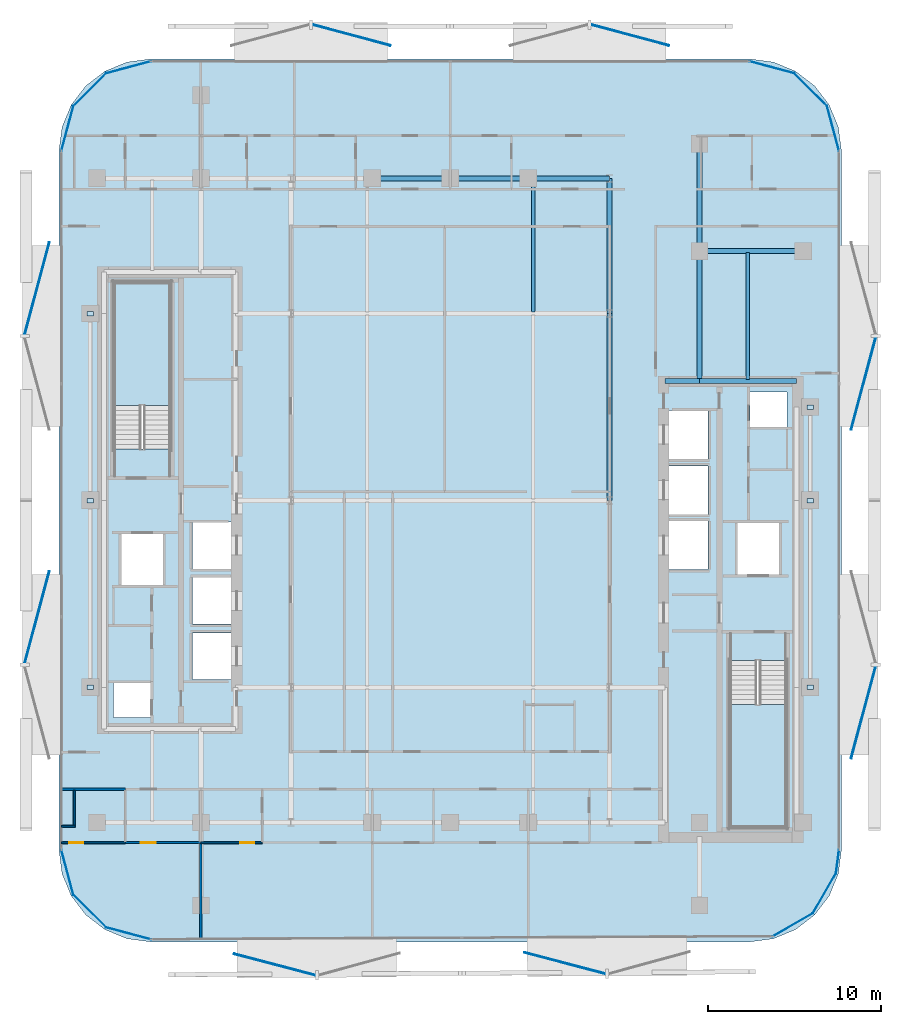
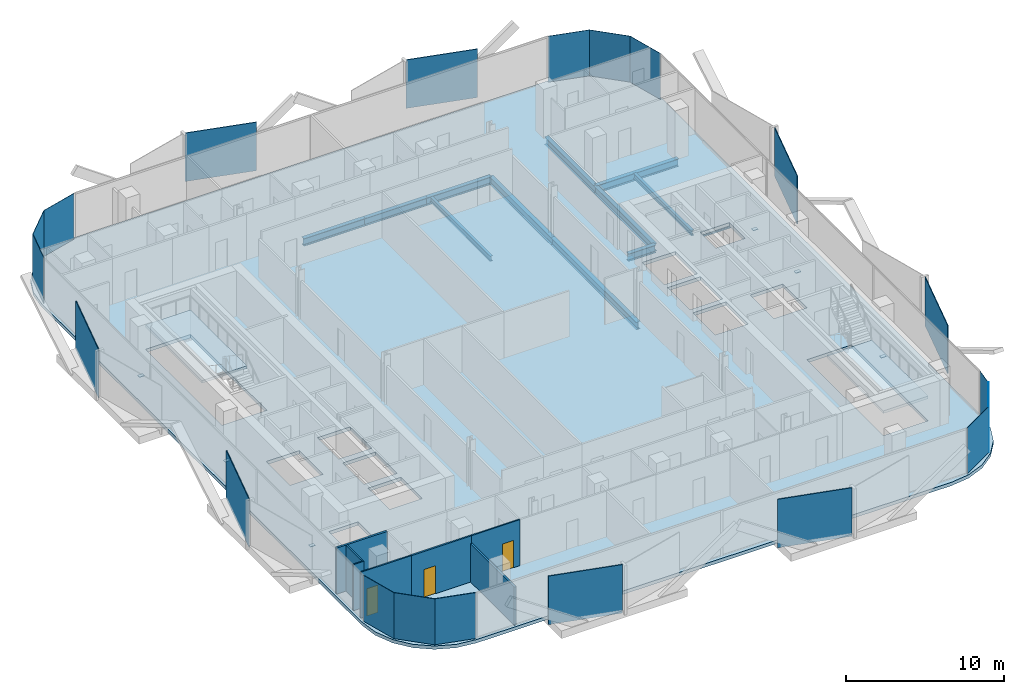
# One storey, part 2 of 17: 26 plates, 12 beams, 7 walls, 3 doors, 3 slabs, 3 openings, 2 elements without a shape of their own.
"""IFC4 building model written with IfcOpenShell, lengths in metres."""

from ifc_helpers import new_model, si_unit, direction, frame, frame_2d, origin, origin_2d, place, context, subcontext, project, spatial, polyline, rectangle, i_section, outline, extrude, material, layer, layer_set, material_profile, profile_set, type_object, element, fill, aggregate, save


model = new_model("IFC4")

# Units and contexts
model_context = context("Model", 3, precision=1e-05, world=origin(), true_north=direction((0.0, 1.0)))
body_context = subcontext(model_context, "Body", "Model", "MODEL_VIEW")
ifc_project = project(units=[si_unit("LENGTHUNIT", "METRE"), si_unit("AREAUNIT", "SQUARE_METRE"), si_unit("VOLUMEUNIT", "CUBIC_METRE"), si_unit("PLANEANGLEUNIT", "RADIAN"), si_unit("MASSUNIT", "GRAM", prefix="KILO")], contexts=[model_context])

# Site, building, storey
site_placement = place(None, origin())
site = spatial("IfcSite", under=ifc_project, at=site_placement, CompositionType="ELEMENT")
building_placement = place(site_placement, origin())
building = spatial("IfcBuilding", under=site, at=building_placement, Name="Khairoan Windgate Tower", CompositionType="ELEMENT")
storey_placement = place(building_placement, frame((0.0, 0.0, 180.199951171875)))
storey = spatial("IfcBuildingStorey", under=building, at=storey_placement, Name="L41", CompositionType="ELEMENT", Elevation=180.199951171875)

# Beams
ifc_material_1 = material(Name="Steel S355", Category="steel")
ifc_material_profile_1 = material_profile(ifc_material_1, i_section(OverallWidth=0.300048828125, OverallDepth=0.587890625, WebThickness=0.011962890625, FlangeThickness=0.02001953125, FilletRadius=0.02392578125, at=origin_2d()))
ifc_profile_set_1 = profile_set([ifc_material_profile_1], Name="Steel S355")
beam_type_1 = type_object("IfcBeamType", Name="Beam B-G4 H588x300x12x20", PredefinedType="BEAM", material=ifc_profile_set_1)
beam_1_placement = place(storey_placement, frame((12.39990234375, 6.89990234375, -0.553955078125), z_axis=(1.0, 0.0, 0.0), x_axis=(0.0, 1.0, 0.0)))
element("IfcBeam", 1, at=beam_1_placement, inside=storey, type_object=beam_type_1, Name="L41 E-W Primary Girder 15", PredefinedType="BEAM", context=body_context, shape_type="SweptSolid", body=[
    extrude(i_section(OverallWidth=0.300048828125, OverallDepth=0.587890625, WebThickness=0.011962890625, FlangeThickness=0.02001953125, FilletRadius=0.02392578125, at=origin_2d()), origin(), (0.0, 0.0, 1.0), 2.0),
])
beam_2_placement = place(storey_placement, frame((14.39990234375, 6.89990234375, -0.553955078125), z_axis=(1.0, 0.0, 0.0), x_axis=(0.0, 1.0, 0.0)))
element("IfcBeam", 2, at=beam_2_placement, inside=storey, type_object=beam_type_1, Name="L41 E-W Primary Girder 16", PredefinedType="BEAM", context=body_context, shape_type="SweptSolid", body=[
    extrude(i_section(OverallWidth=0.300048828125, OverallDepth=0.587890625, WebThickness=0.011962890625, FlangeThickness=0.02001953125, FilletRadius=0.02392578125, at=origin_2d()), origin(), (0.0, 0.0, 1.0), 5.60009765625),
])
beam_3_placement = place(storey_placement, frame((14.39990234375, 14.39990234375, -0.553955078125), z_axis=(1.0, 0.0, 0.0), x_axis=(0.0, 1.0, 0.0)))
element("IfcBeam", 3, at=beam_3_placement, inside=storey, type_object=beam_type_1, Name="L41 E-W Primary Girder 21", PredefinedType="BEAM", context=body_context, shape_type="SweptSolid", body=[
    extrude(i_section(OverallWidth=0.300048828125, OverallDepth=0.587890625, WebThickness=0.011962890625, FlangeThickness=0.02001953125, FilletRadius=0.02392578125, at=origin_2d()), origin(), (0.0, 0.0, 1.0), 6.0),
])
for number, where, z_axis, x_axis, name in (
    (4, (-4.5, 18.60009765625, -0.553955078125), (1.0, 0.0, 0.0), (0.0, 1.0, 0.0), "L41 E-W Primary Girder 25"),
    (5, (0.0, 18.60009765625, -0.553955078125), (1.0, 0.0, 0.0), (0.0, 1.0, 0.0), "L41 E-W Primary Girder 26"),
):
    element("IfcBeam", number, at=place(storey_placement, frame(where, z_axis=z_axis, x_axis=x_axis)), inside=storey, type_object=beam_type_1, Name=name, PredefinedType="BEAM", context=body_context, shape_type="SweptSolid", body=[
        extrude(i_section(OverallWidth=0.300048828125, OverallDepth=0.587890625, WebThickness=0.011962890625, FlangeThickness=0.02001953125, FilletRadius=0.02392578125, at=origin_2d()), origin(), (0.0, 0.0, 1.0), 4.5),
    ])
beam_4_placement = place(storey_placement, frame((4.5, 18.60009765625, -0.553955078125), z_axis=(1.0, 0.0, 0.0), x_axis=(0.0, 1.0, 0.0)))
element("IfcBeam", 6, at=beam_4_placement, inside=storey, type_object=beam_type_1, Name="L41 E-W Primary Girder 27", PredefinedType="BEAM", context=body_context, shape_type="SweptSolid", body=[
    extrude(i_section(OverallWidth=0.300048828125, OverallDepth=0.587890625, WebThickness=0.011962890625, FlangeThickness=0.02001953125, FilletRadius=0.02392578125, at=origin_2d()), origin(), (0.0, 0.0, 1.0), 4.699951171875),
])
beam_5_placement = place(storey_placement, frame((9.199951171875, 0.0, -0.553955078125), z_axis=(0.0, 1.0, 0.0), x_axis=(-1.0, 0.0, 0.0)))
element("IfcBeam", 7, at=beam_5_placement, inside=storey, type_object=beam_type_1, Name="L41 N-S Primary Beam 47", PredefinedType="BEAM", context=body_context, shape_type="SweptSolid", body=[
    extrude(i_section(OverallWidth=0.300048828125, OverallDepth=0.587890625, WebThickness=0.011962890625, FlangeThickness=0.02001953125, FilletRadius=0.02392578125, at=origin_2d()), origin(), (0.0, 0.0, 1.0), 10.800048828125),
])
beam_6_placement = place(storey_placement, frame((9.199951171875, 10.800048828125, -0.553955078125), z_axis=(0.0, 1.0, 0.0), x_axis=(-1.0, 0.0, 0.0)))
element("IfcBeam", 8, at=beam_6_placement, inside=storey, type_object=beam_type_1, Name="L41 N-S Primary Beam 48", PredefinedType="BEAM", context=body_context, shape_type="SweptSolid", body=[
    extrude(i_section(OverallWidth=0.300048828125, OverallDepth=0.587890625, WebThickness=0.011962890625, FlangeThickness=0.02001953125, FilletRadius=0.02392578125, at=origin_2d()), origin(), (0.0, 0.0, 1.0), 7.800048828125),
])
beam_7_placement = place(storey_placement, frame((14.39990234375, 6.89990234375, -0.553955078125), z_axis=(0.0, 1.0, 0.0), x_axis=(-1.0, 0.0, 0.0)))
element("IfcBeam", 9, at=beam_7_placement, inside=storey, type_object=beam_type_1, Name="L41 N-S Primary Beam 51", PredefinedType="BEAM", context=body_context, shape_type="SweptSolid", body=[
    extrude(i_section(OverallWidth=0.300048828125, OverallDepth=0.587890625, WebThickness=0.011962890625, FlangeThickness=0.02001953125, FilletRadius=0.02392578125, at=origin_2d()), origin(), (0.0, 0.0, 1.0), 7.5),
])
beam_8_placement = place(storey_placement, frame((14.39990234375, 14.39990234375, -0.553955078125), z_axis=(0.0, 1.0, 0.0), x_axis=(-1.0, 0.0, 0.0)))
element("IfcBeam", 10, at=beam_8_placement, inside=storey, type_object=beam_type_1, Name="L41 N-S Primary Beam 52", PredefinedType="BEAM", context=body_context, shape_type="SweptSolid", body=[
    extrude(i_section(OverallWidth=0.300048828125, OverallDepth=0.587890625, WebThickness=0.011962890625, FlangeThickness=0.02001953125, FilletRadius=0.02392578125, at=origin_2d()), origin(), (0.0, 0.0, 1.0), 6.2001953125),
])
ifc_material_2 = material(Name="Steel S355", Category="steel")
ifc_material_profile_2 = material_profile(ifc_material_2, i_section(OverallWidth=0.199951171875, OverallDepth=0.39990234375, WebThickness=0.008056640625, FlangeThickness=0.012939453125, FilletRadius=0.01611328125, at=origin_2d()))
ifc_profile_set_2 = profile_set([ifc_material_profile_2], Name="Steel S355")
beam_type_2 = type_object("IfcBeamType", Name="Beam J-S4 H400x200x8x13", PredefinedType="JOIST", material=ifc_profile_set_2)
beam_9_placement = place(storey_placement, frame((4.800048828125, 10.889892578125, -0.4599609375), z_axis=(0.0, 1.0, 0.0), x_axis=(-1.0, 0.0, 0.0)))
element("IfcBeam", 11, at=beam_9_placement, inside=storey, type_object=beam_type_2, Name="L41 Secondary Floor Joist 10", PredefinedType="JOIST", context=body_context, shape_type="SweptSolid", body=[
    extrude(i_section(OverallWidth=0.199951171875, OverallDepth=0.39990234375, WebThickness=0.008056640625, FlangeThickness=0.012939453125, FilletRadius=0.01611328125, at=origin_2d()), origin(), (0.0, 0.0, 1.0), 7.6201171875),
])
beam_10_placement = place(storey_placement, frame((17.199951171875, 6.989990234375, -0.4599609375), z_axis=(0.0, 1.0, 0.0), x_axis=(-1.0, 0.0, 0.0)))
element("IfcBeam", 12, at=beam_10_placement, inside=storey, type_object=beam_type_2, Name="L41 Secondary Floor Joist 11", PredefinedType="JOIST", context=body_context, shape_type="SweptSolid", body=[
    extrude(i_section(OverallWidth=0.199951171875, OverallDepth=0.39990234375, WebThickness=0.008056640625, FlangeThickness=0.012939453125, FilletRadius=0.01611328125, at=origin_2d()), origin(), (0.0, 0.0, 1.0), 7.320068359375),
])

# Plates
ifc_material_3 = material(Name="Low-E Solar Control Laminated Glass", Category="glass")
ifc_layer_1 = layer(ifc_material_3, 0.030029296875, Name="Low-E Solar Control Laminated Glass")
ifc_layer_set_1 = layer_set([ifc_layer_1], Name="Low-E Solar Control Laminated Glass")
plate_type_1 = type_object("IfcPlateType", Name="Aerodynamic Wind-Corner Curved Glazing Plate", PredefinedType="USERDEFINED", material=ifc_layer_set_1)
plate_1_placement = place(storey_placement, frame((-18.585205078125, -25.013916015625, 0.0), z_axis=(0.0, 0.0, 1.0), x_axis=(-0.966061211211, 0.258313252067, 0.0)))
element("IfcPlate", 13, at=plate_1_placement, inside=storey, type_object=plate_type_1, Name="L41 Aerodynamic Wind-Corner Curved Glazing Panel 2", ObjectType="GLAZING PANEL", PredefinedType="USERDEFINED", context=body_context, shape_type="SweptSolid", body=[
    extrude(rectangle(XDim=2.719482421875, YDim=0.030029296875, at=origin_2d()), origin(), (0.0, 0.0, 1.0), 3.5400390625),
])
plate_2_placement = place(storey_placement, frame((-20.823486328125, -23.723388671875, 0.0), z_axis=(0.0, 0.0, 1.0), x_axis=(-0.707106781187, 0.707106781187, 0.0)))
element("IfcPlate", 14, at=plate_2_placement, inside=storey, type_object=plate_type_1, Name="L41 Aerodynamic Wind-Corner Curved Glazing Panel 3", ObjectType="GLAZING PANEL", PredefinedType="USERDEFINED", context=body_context, shape_type="SweptSolid", body=[
    extrude(rectangle(XDim=2.710205078125, YDim=0.030029296875, at=origin_2d()), origin(), (0.0, 0.0, 1.0), 3.5400390625),
])
for number, where, z_axis, x_axis, name in (
    (15, (-22.11376953125, -21.485107421875, 0.0), (0.0, 0.0, 1.0), (-0.258313252067, 0.966061211211, 0.0), "L41 Aerodynamic Wind-Corner Curved Glazing Panel 4"),
    (16, (-22.11376953125, 21.485107421875, 0.0), (0.0, 0.0, 1.0), (0.258313252067, 0.966061211211, 0.0), "L41 Aerodynamic Wind-Corner Curved Glazing Panel 6"),
):
    element("IfcPlate", number, at=place(storey_placement, frame(where, z_axis=z_axis, x_axis=x_axis)), inside=storey, type_object=plate_type_1, Name=name, ObjectType="GLAZING PANEL", PredefinedType="USERDEFINED", context=body_context, shape_type="SweptSolid", body=[
        extrude(rectangle(XDim=2.719482421875, YDim=0.030029296875, at=origin_2d()), origin(), (0.0, 0.0, 1.0), 3.5400390625),
    ])
plate_3_placement = place(storey_placement, frame((-20.823486328125, 23.723388671875, 0.0), z_axis=(0.0, 0.0, 1.0), x_axis=(0.707106781187, 0.707106781187, 0.0)))
element("IfcPlate", 17, at=plate_3_placement, inside=storey, type_object=plate_type_1, Name="L41 Aerodynamic Wind-Corner Curved Glazing Panel 7", ObjectType="GLAZING PANEL", PredefinedType="USERDEFINED", context=body_context, shape_type="SweptSolid", body=[
    extrude(rectangle(XDim=2.710205078125, YDim=0.030029296875, at=origin_2d()), origin(), (0.0, 0.0, 1.0), 3.5400390625),
])
for number, where, z_axis, x_axis, name in (
    (18, (-18.585205078125, 25.013916015625, 0.0), (0.0, 0.0, 1.0), (0.966061211211, 0.258313252067, 0.0), "L41 Aerodynamic Wind-Corner Curved Glazing Panel 8"),
    (19, (18.585205078125, 25.013916015625, 0.0), (0.0, 0.0, 1.0), (0.966061211211, -0.258313252067, 0.0), "L41 Aerodynamic Wind-Corner Curved Glazing Panel 10"),
):
    element("IfcPlate", number, at=place(storey_placement, frame(where, z_axis=z_axis, x_axis=x_axis)), inside=storey, type_object=plate_type_1, Name=name, ObjectType="GLAZING PANEL", PredefinedType="USERDEFINED", context=body_context, shape_type="SweptSolid", body=[
        extrude(rectangle(XDim=2.719482421875, YDim=0.030029296875, at=origin_2d()), origin(), (0.0, 0.0, 1.0), 3.5400390625),
    ])
plate_4_placement = place(storey_placement, frame((20.823486328125, 23.723388671875, 0.0), z_axis=(0.0, 0.0, 1.0), x_axis=(0.707106781187, -0.707106781187, 0.0)))
element("IfcPlate", 20, at=plate_4_placement, inside=storey, type_object=plate_type_1, Name="L41 Aerodynamic Wind-Corner Curved Glazing Panel 11", ObjectType="GLAZING PANEL", PredefinedType="USERDEFINED", context=body_context, shape_type="SweptSolid", body=[
    extrude(rectangle(XDim=2.710205078125, YDim=0.030029296875, at=origin_2d()), origin(), (0.0, 0.0, 1.0), 3.5400390625),
])
plate_5_placement = place(storey_placement, frame((22.11376953125, 21.485107421875, 0.0), z_axis=(0.0, 0.0, 1.0), x_axis=(0.258313252067, -0.966061211211, 0.0)))
element("IfcPlate", 21, at=plate_5_placement, inside=storey, type_object=plate_type_1, Name="L41 Aerodynamic Wind-Corner Curved Glazing Panel 12", ObjectType="GLAZING PANEL", PredefinedType="USERDEFINED", context=body_context, shape_type="SweptSolid", body=[
    extrude(rectangle(XDim=2.719482421875, YDim=0.030029296875, at=origin_2d()), origin(), (0.0, 0.0, 1.0), 3.5400390625),
])
plate_6_placement = place(storey_placement, frame((22.37158203125, -20.863037109375, 0.0), z_axis=(0.0, 0.0, 1.0), x_axis=(-0.13052619222, -0.991444861374, 0.0)))
element("IfcPlate", 22, at=plate_6_placement, inside=storey, type_object=plate_type_1, Name="L41 Aerodynamic Wind-Corner Curved Glazing Panel 14", ObjectType="GLAZING PANEL", PredefinedType="USERDEFINED", context=body_context, shape_type="SweptSolid", body=[
    extrude(rectangle(XDim=1.39599609375, YDim=0.030029296875, at=origin_2d()), origin(), (0.0, 0.0, 1.0), 3.5400390625),
])
for number, where, z_axis, x_axis, name in (
    (23, (21.615478515625, -22.69140625, 0.0), (0.0, 0.0, 1.0), (-0.5, -0.866025403784, 0.0), "L41 Aerodynamic Wind-Corner Curved Glazing Panel 15"),
    (24, (19.79150390625, -24.515380859375, 0.0), (0.0, 0.0, 1.0), (-0.866025403784, -0.5, 0.0), "L41 Aerodynamic Wind-Corner Curved Glazing Panel 16"),
):
    element("IfcPlate", number, at=place(storey_placement, frame(where, z_axis=z_axis, x_axis=x_axis)), inside=storey, type_object=plate_type_1, Name=name, ObjectType="GLAZING PANEL", PredefinedType="USERDEFINED", context=body_context, shape_type="SweptSolid", body=[
        extrude(rectangle(XDim=2.71044921875, YDim=0.030029296875, at=origin_2d()), origin(), (0.0, 0.0, 1.0), 3.5400390625),
    ])
ifc_material_4 = material(Name="Steel S355", Category="steel")
ifc_layer_2 = layer(ifc_material_4, 0.0400390625, Name="Steel S355")
ifc_layer_set_2 = layer_set([ifc_layer_2], Name="Steel S355")
plate_type_2 = type_object("IfcPlateType", Name="Hollow Section End-Cap Plate PL-CAP40", PredefinedType="SHEET", material=ifc_layer_set_2)
for number, where, z_axis, x_axis, name in (
    (25, (-20.800048828125, -10.784912109375, -0.455078125), (0.0, 0.0, 1.0), (0.0, 1.0, 0.0), "BM-SP-L41-028 steel end-cap plate 1"),
    (26, (-20.800048828125, -0.014892578125, -0.455078125), (0.0, 0.0, 1.0), (0.0, 1.0, 0.0), "BM-SP-L41-028 steel end-cap plate 2"),
    (27, (-20.800048828125, 10.784912109375, -0.455078125), (0.0, 0.0, 1.0), (0.0, 1.0, 0.0), "BM-SP-L41-029 steel end-cap plate 2"),
    (28, (20.800048828125, -10.784912109375, -0.455078125), (0.0, 0.0, 1.0), (0.0, 1.0, 0.0), "BM-SP-L41-056 steel end-cap plate 1"),
    (29, (20.800048828125, -0.014892578125, -0.455078125), (0.0, 0.0, 1.0), (0.0, 1.0, 0.0), "BM-SP-L41-056 steel end-cap plate 2"),
    (30, (20.800048828125, 5.385009765625, -0.455078125), (0.0, 0.0, 1.0), (0.0, 1.0, 0.0), "BM-SP-L41-057 steel end-cap plate 2"),
):
    element("IfcPlate", number, at=place(storey_placement, frame(where, z_axis=z_axis, x_axis=x_axis)), inside=storey, type_object=plate_type_2, Name=name, PredefinedType="SHEET", context=body_context, shape_type="SweptSolid", body=[
        extrude(rectangle(XDim=0.27001953125, YDim=0.3701171875, at=origin_2d()), origin(), (0.0, 0.0, 1.0), 0.0400390625),
    ])
ifc_material_5 = material(Name="Anodised Bronze Aluminium 6063-T6", Category="aluminium")
ifc_layer_3 = layer(ifc_material_5, 0.054931640625, Name="Anodised Bronze Aluminium 6063-T6")
ifc_layer_set_3 = layer_set([ifc_layer_3], Name="Anodised Bronze Aluminium 6063-T6")
plate_type_3 = type_object("IfcPlateType", Name="Perforated Bronze Solar Screen Panel BSP-1", PredefinedType="USERDEFINED", material=ifc_layer_set_3)
for number, where, z_axis, x_axis, name in (
    (31, (6.623291015625, -26.733154296875, -0.10009765625), (0.0, 0.0, 1.0), (-0.967179115616, 0.254095569259, 0.0), "L41 Perforated Bronze Solar Screen Panel 265R"),
    (32, (-10.1396484375, -26.815673828125, -0.10009765625), (0.0, 0.0, 1.0), (-0.967179115616, 0.254095569259, 0.0), "L41 Perforated Bronze Solar Screen Panel 266R"),
):
    element("IfcPlate", number, at=place(storey_placement, frame(where, z_axis=z_axis, x_axis=x_axis)), inside=storey, type_object=plate_type_3, Name=name, ObjectType="SCREEN", PredefinedType="USERDEFINED", context=body_context, shape_type="SweptSolid", body=[
        extrude(rectangle(XDim=4.861083984375, YDim=0.054931640625, at=origin_2d()), origin(), (0.0, 0.0, 1.0), 3.739990234375),
    ])
for number, where, z_axis, x_axis, name in (
    (33, (-23.8671875, -6.74560546875, -0.10009765625), (0.0, 0.0, 1.0), (0.258819045103, 0.965925826289, 0.0), "L41 Perforated Bronze Solar Screen Panel 267R"),
    (34, (-23.8671875, 12.2451171875, -0.10009765625), (0.0, 0.0, 1.0), (0.258819045103, 0.965925826289, 0.0), "L41 Perforated Bronze Solar Screen Panel 268R"),
):
    element("IfcPlate", number, at=place(storey_placement, frame(where, z_axis=z_axis, x_axis=x_axis)), inside=storey, type_object=plate_type_3, Name=name, ObjectType="SCREEN", PredefinedType="USERDEFINED", context=body_context, shape_type="SweptSolid", body=[
        extrude(rectangle(XDim=5.507080078125, YDim=0.054931640625, at=origin_2d()), origin(), (0.0, 0.0, 1.0), 3.739990234375),
    ])
for number, where, z_axis, x_axis, name in (
    (35, (-5.701904296875, 26.876220703125, -0.10009765625), (0.0, 0.0, 1.0), (0.965925826289, -0.258819045103, 0.0), "L41 Perforated Bronze Solar Screen Panel 269R"),
    (36, (10.388916015625, 26.876220703125, -0.10009765625), (0.0, 0.0, 1.0), (0.965925826289, -0.258819045103, 0.0), "L41 Perforated Bronze Solar Screen Panel 270R"),
):
    element("IfcPlate", number, at=place(storey_placement, frame(where, z_axis=z_axis, x_axis=x_axis)), inside=storey, type_object=plate_type_3, Name=name, ObjectType="SCREEN", PredefinedType="USERDEFINED", context=body_context, shape_type="SweptSolid", body=[
        extrude(rectangle(XDim=4.666015625, YDim=0.054931640625, at=origin_2d()), origin(), (0.0, 0.0, 1.0), 3.739990234375),
    ])
for number, where, z_axis, x_axis, name in (
    (37, (23.8671875, 6.74560546875, -0.10009765625), (0.0, 0.0, 1.0), (-0.258819045103, -0.965925826289, 0.0), "L41 Perforated Bronze Solar Screen Panel 271R"),
    (38, (23.8671875, -12.2451171875, -0.10009765625), (0.0, 0.0, 1.0), (-0.258819045103, -0.965925826289, 0.0), "L41 Perforated Bronze Solar Screen Panel 272R"),
):
    element("IfcPlate", number, at=place(storey_placement, frame(where, z_axis=z_axis, x_axis=x_axis)), inside=storey, type_object=plate_type_3, Name=name, ObjectType="SCREEN", PredefinedType="USERDEFINED", context=body_context, shape_type="SweptSolid", body=[
        extrude(rectangle(XDim=5.507080078125, YDim=0.054931640625, at=origin_2d()), origin(), (0.0, 0.0, 1.0), 3.739990234375),
    ])

# Stair, slab
ifc_material_6 = material(Name="Concrete C40/50", Category="concrete")
stair_type = type_object("IfcStairType", Name="Tower Core Dog-Leg Stair ST-T1 1560mm", PredefinedType="HALF_TURN_STAIR", material=ifc_material_6)
stair_1_placement = place(storey_placement, origin())
stair_1 = element("IfcStair", 39, at=stair_1_placement, inside=storey, type_object=stair_type, Name="L41 Stair ST1", PredefinedType="HALF_TURN_STAIR")
ifc_material_7 = material(Name="Concrete C40/50", Category="concrete")
ifc_layer_4 = layer(ifc_material_7, 0.199951171875, Name="Concrete C40/50")
ifc_layer_set_4 = layer_set([ifc_layer_4], Name="Concrete C40/50")
slab_type_1 = type_object("IfcSlabType", Name="Reinforced Concrete Stair Landing Slab STL-200", PredefinedType="LANDING", material=ifc_layer_set_4)
slab_1_placement = place(storey_placement, frame((0.0, 0.0, 1.699951171875)))
slab_1 = element("IfcSlab", 40, at=slab_1_placement, type_object=slab_type_1, Name="ST1 landing 1", PredefinedType="LANDING", context=body_context, shape_type="SweptSolid", body=[
    extrude(outline(polyline([(16.14990234375, -11.780029296875), (16.14990234375, -18.89990234375), (19.419921875, -18.89990234375), (19.419921875, -11.780029296875), (16.14990234375, -11.780029296875)])), origin(), (0.0, 0.0, 1.0), 0.2001953125),
])
aggregate(stair_1, [slab_1])

stair_2_placement = place(storey_placement, origin())
stair_2 = element("IfcStair", 41, at=stair_2_placement, inside=storey, type_object=stair_type, Name="L41 Stair ST2", PredefinedType="HALF_TURN_STAIR")
slab_2_placement = place(storey_placement, frame((0.0, 0.0, 1.699951171875)))
slab_2 = element("IfcSlab", 42, at=slab_2_placement, type_object=slab_type_1, Name="ST2 landing 1", PredefinedType="LANDING", context=body_context, shape_type="SweptSolid", body=[
    extrude(outline(polyline([(-16.14990234375, 5.47998046875), (-16.14990234375, 12.60009765625), (-19.419921875, 12.60009765625), (-19.419921875, 5.47998046875), (-16.14990234375, 5.47998046875)])), origin(), (0.0, 0.0, 1.0), 0.2001953125),
])
aggregate(stair_2, [slab_2])

# Slab
ifc_material_8 = material(Name="Concrete C40/50", Category="concrete")
ifc_layer_5 = layer(ifc_material_8, 0.260009765625, Name="Concrete C40/50")
ifc_layer_set_5 = layer_set([ifc_layer_5], Name="Concrete C40/50")
slab_type_2 = type_object("IfcSlabType", Name="Tower Composite Floor Slab FS2 260mm", PredefinedType="FLOOR", material=ifc_layer_set_5)
slab_3_placement = place(storey_placement, frame((0.0, 0.0, -0.260009765625)))
element("IfcSlab", 43, at=slab_3_placement, inside=storey, type_object=slab_type_2, Name="L41 Structural Floor Slab", PredefinedType="FLOOR", context=body_context, shape_type="SweptSolid", body=[
    extrude(outline(polyline([(17.300048828125, -25.5), (18.671630859375, -25.3193359375), (19.949951171875, -24.789794921875), (21.047607421875, -23.94775390625), (21.889892578125, -22.85009765625), (22.41943359375, -21.57177734375), (22.60009765625, -20.199951171875), (22.60009765625, 20.199951171875), (22.41943359375, 21.57177734375), (21.889892578125, 22.85009765625), (21.047607421875, 23.94775390625), (19.949951171875, 24.789794921875), (18.671630859375, 25.3193359375), (17.300048828125, 25.5), (-17.300048828125, 25.5), (-18.671630859375, 25.3193359375), (-19.949951171875, 24.789794921875), (-21.047607421875, 23.94775390625), (-21.889892578125, 22.85009765625), (-22.41943359375, 21.57177734375), (-22.60009765625, 20.199951171875), (-22.60009765625, -20.199951171875), (-22.41943359375, -21.57177734375), (-21.889892578125, -22.85009765625), (-21.047607421875, -23.94775390625), (-19.949951171875, -24.789794921875), (-18.671630859375, -25.3193359375), (-17.300048828125, -25.5), (17.300048828125, -25.5)]), holes=[polyline([(16.14990234375, -9.260009765625), (16.14990234375, -18.89990234375), (19.419921875, -18.89990234375), (19.419921875, -9.260009765625), (16.14990234375, -9.260009765625)]), polyline([(-16.14990234375, 2.9599609375), (-16.14990234375, 12.60009765625), (-19.419921875, 12.60009765625), (-19.419921875, 2.9599609375), (-16.14990234375, 2.9599609375)]), polyline([(-14.89990234375, -3.949951171875), (-12.5, -3.949951171875), (-12.5, -1.25), (-14.89990234375, -1.25), (-14.89990234375, -3.949951171875)]), polyline([(-14.89990234375, -7.14990234375), (-12.5, -7.14990234375), (-12.5, -4.449951171875), (-14.89990234375, -4.449951171875), (-14.89990234375, -7.14990234375)]), polyline([(-14.89990234375, -10.35009765625), (-12.5, -10.35009765625), (-12.5, -7.64990234375), (-14.89990234375, -7.64990234375), (-14.89990234375, -10.35009765625)]), polyline([(12.5, 2.39990234375), (14.89990234375, 2.39990234375), (14.89990234375, 5.199951171875), (12.5, 5.199951171875), (12.5, 2.39990234375)]), polyline([(12.5, -0.800048828125), (14.89990234375, -0.800048828125), (14.89990234375, 2.0), (12.5, 2.0), (12.5, -0.800048828125)]), polyline([(12.5, -4.0), (14.89990234375, -4.0), (14.89990234375, -1.199951171875), (12.5, -1.199951171875), (12.5, -4.0)]), polyline([(16.60009765625, -4.300048828125), (19.0, -4.300048828125), (19.0, -1.300048828125), (16.60009765625, -1.300048828125), (16.60009765625, -4.300048828125)]), polyline([(-19.0, -4.89990234375), (-16.60009765625, -4.89990234375), (-16.60009765625, -1.89990234375), (-19.0, -1.89990234375), (-19.0, -4.89990234375)]), polyline([(-19.449951171875, -12.550048828125), (-17.31005859375, -12.550048828125), (-17.31005859375, -10.550048828125), (-19.449951171875, -10.550048828125), (-19.449951171875, -12.550048828125)]), polyline([(17.31005859375, 4.25), (19.449951171875, 4.25), (19.449951171875, 6.25), (17.31005859375, 6.25), (17.31005859375, 4.25)])]), origin(), (0.0, 0.0, 1.0), 0.260009765625),
])

# Wall, opening, door
ifc_material_9 = material(Name="Moisture-Resistant Gypsum Partition", Category="gypsum")
ifc_layer_6 = layer(ifc_material_9, 0.10009765625, Name="Moisture-Resistant Gypsum Partition")
ifc_layer_set_6 = layer_set([ifc_layer_6], Name="Moisture-Resistant Gypsum Partition")
wall_type_1 = type_object("IfcWallType", Name="Bathroom Wet-Area Partition Wall", PredefinedType="PARTITIONING", material=ifc_layer_set_6)
wall_1_placement = place(storey_placement, frame((-22.455078125, -19.77001953125, 0.0), z_axis=(0.0, 0.0, 1.0), x_axis=(1.0, 0.0, 0.0)))
wall_1 = element("IfcWall", 44, at=wall_1_placement, inside=storey, type_object=wall_type_1, Name="L41 Interior Partition 077", PredefinedType="PARTITIONING", context=body_context, shape_type="SweptSolid", body=[
    extrude(rectangle(XDim=3.691162109375, YDim=0.10009765625, at=frame_2d((1.845703125, 0.0))), origin(), (0.0, 0.0, 1.0), 3.5400390625),
])
opening_1_placement = place(wall_1_placement, frame((0.4599609375, 0.0, 0.0)))
opening_1 = element("IfcOpeningElement", 45, at=opening_1_placement, cuts=wall_1, Name="Opening ID-BTH", PredefinedType="OPENING", context=body_context, shape_type="SweptSolid", body=[
    extrude(rectangle(XDim=0.800048828125, YDim=2.10009765625, at=frame_2d((0.39990234375, 1.050048828125))), frame((0.0, 0.06005859375, 0.0), z_axis=(0.0, -1.0, 0.0), x_axis=(1.0, 0.0, 0.0)), (0.0, 0.0, 1.0), 0.1201171875),
])
ifc_material_10 = material(Name="Teak Veneer Timber Leaf", Category="wood")
door_type_1 = type_object("IfcDoorType", Name="Internal Bathroom Door ID-BTH 800x2100", OperationType="NOTDEFINED", PredefinedType="DOOR", material=ifc_material_10)
door_1_placement = place(opening_1_placement, origin())
door_1 = element("IfcDoor", 46, at=door_1_placement, inside=storey, type_object=door_type_1, Name="L41 L41-54-L41-56 Door", OperationType="SINGLE_SWING_RIGHT", OverallHeight=2.10009765625, OverallWidth=0.800048828125, PredefinedType="DOOR", context=body_context, shape_type="SweptSolid", body=[
    extrude(rectangle(XDim=0.800048828125, YDim=2.10009765625, at=frame_2d((0.39990234375, 1.050048828125))), frame((0.0, 0.02490234375, 0.0), z_axis=(0.0, -1.0, 0.0), x_axis=(1.0, 0.0, 0.0)), (0.0, 0.0, 1.0), 0.050048828125),
])
fill(opening_1, door_1)

wall_2_placement = place(storey_placement, frame((-14.39990234375, -19.77001953125, 0.0), z_axis=(0.0, 0.0, 1.0), x_axis=(1.0, 0.0, 0.0)))
wall_2 = element("IfcWall", 47, at=wall_2_placement, inside=storey, type_object=wall_type_1, Name="L41 Interior Partition 082", PredefinedType="PARTITIONING", context=body_context, shape_type="SweptSolid", body=[
    extrude(rectangle(XDim=3.539794921875, YDim=0.10009765625, at=frame_2d((1.77001953125, 0.0))), origin(), (0.0, 0.0, 1.0), 3.5400390625),
])
opening_2_placement = place(wall_2_placement, frame((2.280029296875, 0.0, 0.0)))
opening_2 = element("IfcOpeningElement", 48, at=opening_2_placement, cuts=wall_2, Name="Opening ID-BTH", PredefinedType="OPENING", context=body_context, shape_type="SweptSolid", body=[
    extrude(rectangle(XDim=0.800048828125, YDim=2.10009765625, at=frame_2d((0.39990234375, 1.050048828125))), frame((0.0, 0.06005859375, 0.0), z_axis=(0.0, -1.0, 0.0), x_axis=(1.0, 0.0, 0.0)), (0.0, 0.0, 1.0), 0.1201171875),
])
door_2_placement = place(opening_2_placement, origin())
door_2 = element("IfcDoor", 49, at=door_2_placement, inside=storey, type_object=door_type_1, Name="L41 L41-57-L41-59 Door", OperationType="SINGLE_SWING_LEFT", OverallHeight=2.10009765625, OverallWidth=0.800048828125, PredefinedType="DOOR", context=body_context, shape_type="SweptSolid", body=[
    extrude(rectangle(XDim=0.800048828125, YDim=2.10009765625, at=frame_2d((0.39990234375, 1.050048828125))), frame((0.0, 0.02490234375, 0.0), z_axis=(0.0, -1.0, 0.0), x_axis=(1.0, 0.0, 0.0)), (0.0, 0.0, 1.0), 0.050048828125),
])
fill(opening_2, door_2)

# Walls
wall_3_placement = place(storey_placement, frame((-21.669921875, -18.820068359375, 0.0), z_axis=(0.0, 0.0, 1.0), x_axis=(-1.0, 0.0, 0.0)))
element("IfcWall", 50, at=wall_3_placement, inside=storey, type_object=wall_type_1, Name="L41 Wet Room Side Wall 100", PredefinedType="PARTITIONING", context=body_context, shape_type="SweptSolid", body=[
    extrude(rectangle(XDim=0.78515625, YDim=0.10009765625, at=frame_2d((0.392578125, 0.0))), origin(), (0.0, 0.0, 1.0), 3.5400390625),
])
wall_4_placement = place(storey_placement, frame((-21.719970703125, -18.77001953125, 0.0), z_axis=(0.0, 0.0, 1.0), x_axis=(0.0, 1.0, 0.0)))
element("IfcWall", 51, at=wall_4_placement, inside=storey, type_object=wall_type_1, Name="L41 Wet Room Side Wall 101", PredefinedType="PARTITIONING", context=body_context, shape_type="SweptSolid", body=[
    extrude(rectangle(XDim=2.01513671875, YDim=0.10009765625, at=frame_2d((1.007568359375, 0.0))), origin(), (0.0, 0.0, 1.0), 3.5400390625),
])
ifc_material_11 = material(Name="Acoustic Fire-Rated Gypsum Partition", Category="gypsum")
ifc_layer_7 = layer(ifc_material_11, 0.139892578125, Name="Acoustic Fire-Rated Gypsum Partition")
ifc_layer_set_7 = layer_set([ifc_layer_7], Name="Acoustic Fire-Rated Gypsum Partition")
wall_type_2 = type_object("IfcWallType", Name="Inter-Tenancy Compartment Wall", PredefinedType="PARTITIONING", material=ifc_layer_set_7)
wall_5_placement = place(storey_placement, frame((-14.39990234375, -25.3408203125, 0.0), z_axis=(0.0, 0.0, 1.0), x_axis=(0.0, 1.0, 0.0)))
element("IfcWall", 52, at=wall_5_placement, inside=storey, type_object=wall_type_2, Name="L41 Interior Partition 080", PredefinedType="PARTITIONING", context=body_context, shape_type="SweptSolid", body=[
    extrude(rectangle(XDim=5.57080078125, YDim=0.139892578125, at=frame_2d((2.785400390625, 0.0))), origin(), (0.0, 0.0, 1.0), 2.9521484375),
])

# Wall, opening, door
ifc_material_12 = material(Name="Gypsum Stud Partition", Category="gypsum")
ifc_layer_8 = layer(ifc_material_12, 0.1201171875, Name="Gypsum Stud Partition")
ifc_layer_set_8 = layer_set([ifc_layer_8], Name="Gypsum Stud Partition")
wall_type_3 = type_object("IfcWallType", Name="Internal Room Partition Wall", PredefinedType="PARTITIONING", material=ifc_layer_set_8)
wall_6_placement = place(storey_placement, frame((-18.763916015625, -19.77001953125, 0.0), z_axis=(0.0, 0.0, 1.0), x_axis=(1.0, 0.0, 0.0)))
wall_6 = element("IfcWall", 53, at=wall_6_placement, inside=storey, type_object=wall_type_3, Name="L41 Interior Partition 078", PredefinedType="PARTITIONING", context=body_context, shape_type="SweptSolid", body=[
    extrude(rectangle(XDim=4.364013671875, YDim=0.1201171875, at=frame_2d((2.18212890625, 0.0))), origin(), (0.0, 0.0, 1.0), 3.5400390625),
])
opening_3_placement = place(wall_6_placement, frame((0.890625, 0.0, 0.0)))
opening_3 = element("IfcOpeningElement", 54, at=opening_3_placement, cuts=wall_6, Name="Opening ID-RM", PredefinedType="OPENING", context=body_context, shape_type="SweptSolid", body=[
    extrude(rectangle(XDim=0.860107421875, YDim=2.14990234375, at=frame_2d((0.43017578125, 1.074951171875))), frame((0.0, 0.070068359375, 0.0), z_axis=(0.0, -1.0, 0.0), x_axis=(1.0, 0.0, 0.0)), (0.0, 0.0, 1.0), 0.14013671875),
])
ifc_material_13 = material(Name="Teak Veneer Timber Leaf", Category="wood")
door_type_2 = type_object("IfcDoorType", Name="Internal Bedroom and Office Door ID-RM 860x2150", OperationType="NOTDEFINED", PredefinedType="DOOR", material=ifc_material_13)
door_3_placement = place(opening_3_placement, origin())
door_3 = element("IfcDoor", 55, at=door_3_placement, inside=storey, type_object=door_type_2, Name="L41 L41-55-L41-56 Door", OperationType="SINGLE_SWING_LEFT", OverallHeight=2.14990234375, OverallWidth=0.860107421875, PredefinedType="DOOR", context=body_context, shape_type="SweptSolid", body=[
    extrude(rectangle(XDim=0.860107421875, YDim=2.14990234375, at=frame_2d((0.43017578125, 1.074951171875))), frame((0.0, 0.02490234375, 0.0), z_axis=(0.0, -1.0, 0.0), x_axis=(1.0, 0.0, 0.0)), (0.0, 0.0, 1.0), 0.050048828125),
])
fill(opening_3, door_3)

# Wall
ifc_material_14 = material(Name="Acoustic Fire-Rated Gypsum Partition", Category="gypsum")
ifc_layer_9 = layer(ifc_material_14, 0.14990234375, Name="Acoustic Fire-Rated Gypsum Partition")
ifc_layer_set_9 = layer_set([ifc_layer_9], Name="Acoustic Fire-Rated Gypsum Partition")
wall_type_4 = type_object("IfcWallType", Name="Rated Corridor Partition Wall", PredefinedType="PARTITIONING", material=ifc_layer_set_9)
wall_7_placement = place(storey_placement, frame((-22.455078125, -16.679931640625, 0.0), z_axis=(0.0, 0.0, 1.0), x_axis=(1.0, 0.0, 0.0)))
element("IfcWall", 56, at=wall_7_placement, inside=storey, type_object=wall_type_4, Name="L41 Interior Partition 036", PredefinedType="PARTITIONING", context=body_context, shape_type="SweptSolid", body=[
    extrude(rectangle(XDim=3.691162109375, YDim=0.14990234375, at=frame_2d((1.845703125, 0.0))), origin(), (0.0, 0.0, 1.0), 3.5400390625),
])

save(model, "model.ifc")
